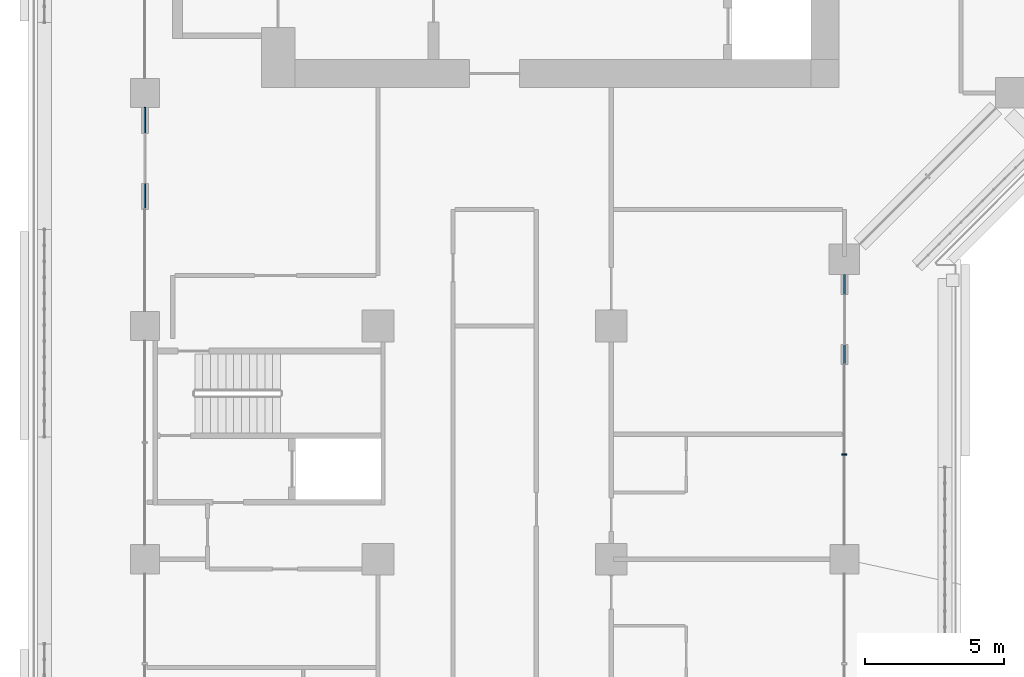
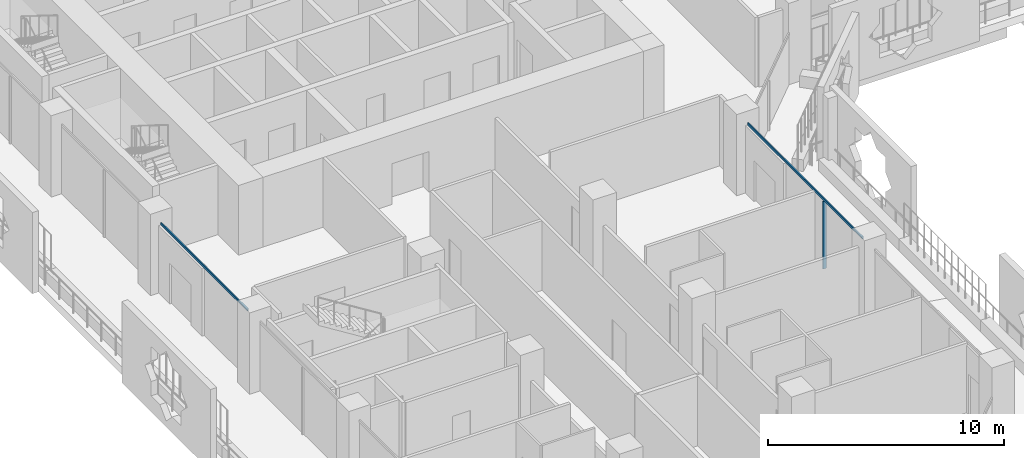
# One storey, part 3 of 25: 3 members, 2 elements without a shape of their own.
"""IFC4 building model written with IfcOpenShell, lengths in metres."""

from ifc_helpers import new_model, si_unit, direction, frame, origin, origin_2d, place, context, subcontext, project, spatial, rectangle, extrude, material, layer, layer_set, material_profile, profile_set, type_object, element, aggregate, save


model = new_model("IFC4")

# Units and contexts
model_context = context("Model", 3, precision=1e-05, world=origin(), true_north=direction((0.0, 1.0)))
body_context = subcontext(model_context, "Body", "Model", "MODEL_VIEW")
ifc_project = project(units=[si_unit("LENGTHUNIT", "METRE"), si_unit("AREAUNIT", "SQUARE_METRE"), si_unit("VOLUMEUNIT", "CUBIC_METRE"), si_unit("PLANEANGLEUNIT", "RADIAN"), si_unit("MASSUNIT", "GRAM", prefix="KILO")], contexts=[model_context])

# Site, building, storey
site_placement = place(None, origin())
site = spatial("IfcSite", under=ifc_project, at=site_placement, CompositionType="ELEMENT")
building_placement = place(site_placement, origin())
building = spatial("IfcBuilding", under=site, at=building_placement, Name="Kawkab Arch Medical Tower", CompositionType="ELEMENT")
storey_placement = place(building_placement, frame((0.0, 0.0, 128.199951171875)))
storey = spatial("IfcBuildingStorey", under=building, at=storey_placement, Name="L29", CompositionType="ELEMENT", Elevation=128.199951171875)

# Curtain wall, member
ifc_material_1 = material(Name="Bronze anodised aluminium curtain wall frame", Category="aluminium")
ifc_layer = layer(ifc_material_1, 0.159912109375)
ifc_layer_set = layer_set([ifc_layer], Name="Bronze anodised aluminium curtain wall frame")
curtain_wall_type = type_object("IfcCurtainWallType", Name="CW1 ward curtain wall", PredefinedType="NOTDEFINED", material=ifc_layer_set)
placement = place(storey_placement, origin())
curtain_wall_1 = element("IfcCurtainWall", 1, at=placement, inside=storey, type_object=curtain_wall_type, Name="CW1 Ward curtain wall R05", PredefinedType="NOTDEFINED")
ifc_material_2 = material(Name="Bronze anodised aluminium curtain wall frame", Category="aluminium")
ifc_material_profile_1 = material_profile(ifc_material_2, rectangle(XDim=0.179931640625, YDim=0.06005859375, at=origin_2d()), Name="AL 60x180")
ifc_profile_set_1 = profile_set([ifc_material_profile_1], Name="Bronze anodised aluminium curtain wall frame")
member_type_1 = type_object("IfcMemberType", Name="CW1 mullion 60 x 180", PredefinedType="MULLION", material=ifc_profile_set_1)
member_1_placement = place(storey_placement, frame((25.199951171875, -38.2333984375, 0.0), z_axis=(0.0, 0.0, 1.0), x_axis=(-1.0, 0.0, 0.0)))
member_1 = element("IfcMember", 2, at=member_1_placement, type_object=member_type_1, Name="CW1 mullion 2.1", PredefinedType="MULLION", context=body_context, shape_type="SweptSolid", body=[
    extrude(rectangle(XDim=0.179931640625, YDim=0.06005859375, at=origin_2d()), origin(), (0.0, 0.0, 1.0), 3.47998046875),
])

curtain_wall_2 = element("IfcCurtainWall", 3, at=placement, inside=storey, type_object=curtain_wall_type, Name="CW1 Ward curtain wall R01", PredefinedType="NOTDEFINED")
ifc_material_3 = material(Name="Bronze anodised aluminium curtain wall frame", Category="aluminium")
ifc_material_profile_2 = material_profile(ifc_material_3, rectangle(XDim=0.06005859375, YDim=0.1201171875, at=origin_2d()), Name="AL 60x120")
ifc_profile_set_2 = profile_set([ifc_material_profile_2], Name="Bronze anodised aluminium curtain wall frame")
member_type_2 = type_object("IfcMemberType", Name="CW1 transom 120 x 60", PredefinedType="USERDEFINED", material=ifc_profile_set_2)
member_2_placement = place(storey_placement, frame((0.0, -25.72509765625, 3.5400390625), z_axis=(0.0, -1.0, 0.0), x_axis=(1.0, 0.0, 0.0)))
member_2 = element("IfcMember", 4, at=member_2_placement, type_object=member_type_2, Name="CW1 transom 4", ObjectType="TRANSOM", PredefinedType="USERDEFINED", context=body_context, shape_type="SweptSolid", body=[
    extrude(rectangle(XDim=0.06005859375, YDim=0.1201171875, at=origin_2d()), origin(), (0.0, 0.0, 1.0), 7.349853515625),
])
aggregate(curtain_wall_2, [member_2])

# Member
member_3_placement = place(storey_placement, frame((25.199951171875, -41.47509765625, 3.5400390625), z_axis=(0.0, 1.0, 0.0), x_axis=(-1.0, 0.0, 0.0)))
member_3 = element("IfcMember", 5, at=member_3_placement, type_object=member_type_2, Name="CW1 transom 2", ObjectType="TRANSOM", PredefinedType="USERDEFINED", context=body_context, shape_type="SweptSolid", body=[
    extrude(rectangle(XDim=0.06005859375, YDim=0.1201171875, at=origin_2d()), origin(), (0.0, 0.0, 1.0), 9.72509765625),
])

aggregate(curtain_wall_1, [member_3, member_1])

save(model, "model.ifc")
